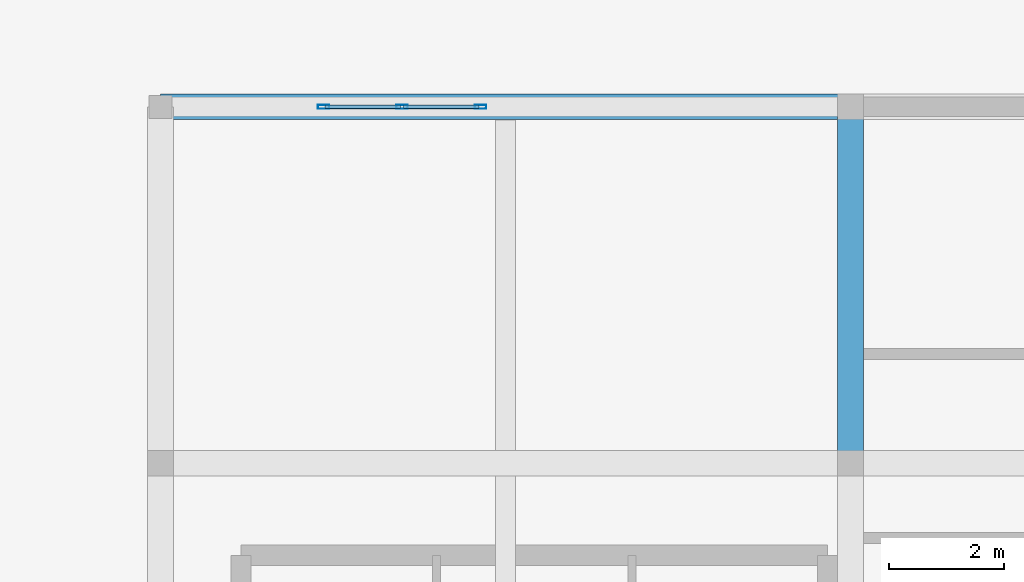
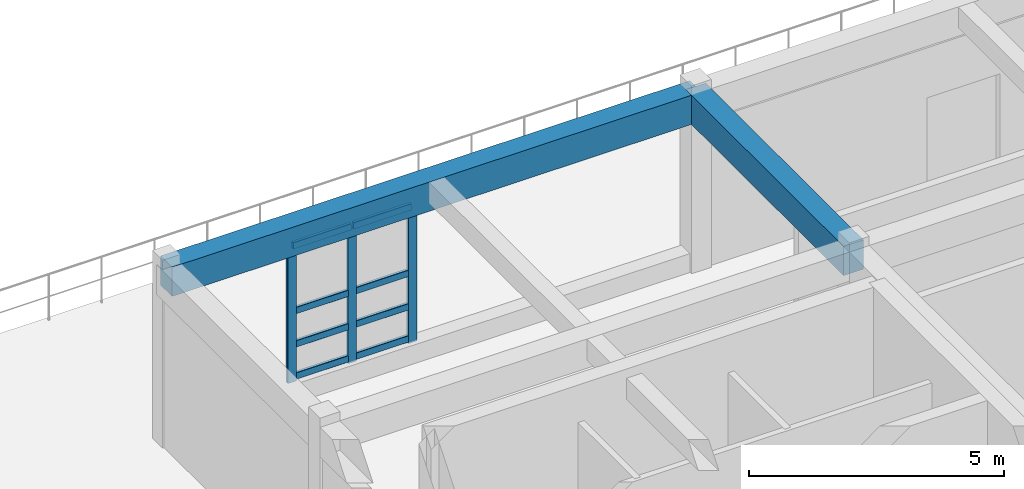
# One storey, part 2 of 15: 11 members, 2 beams, 1 element without a shape of its own.
"""IFC4 building model written with IfcOpenShell, lengths in metres."""

from ifc_helpers import new_model, si_unit, derived_unit, direction, frame, origin, origin_2d, place, context, subcontext, project, spatial, rectangle, hollow_rectangle, extrude, material, layer, layer_set, material_profile, profile_set, type_object, element, aggregate, save


model = new_model("IFC4")

# Units and contexts
model_context = context("Model", 3, precision=1e-05, world=origin(), true_north=direction((0.0, 1.0)))
body_context = subcontext(model_context, "Body", "Model", "MODEL_VIEW")
ifc_project = project(units=[si_unit("LENGTHUNIT", "METRE"), si_unit("AREAUNIT", "SQUARE_METRE"), si_unit("VOLUMEUNIT", "CUBIC_METRE"), si_unit("PLANEANGLEUNIT", "RADIAN"), si_unit("MASSUNIT", "GRAM", prefix="KILO"), derived_unit("THERMALTRANSMITTANCEUNIT", [(si_unit("POWERUNIT", "WATT"), 1), (si_unit("LENGTHUNIT", "METRE"), -2), (si_unit("THERMODYNAMICTEMPERATUREUNIT", "KELVIN"), -1)])], contexts=[model_context])

# Site, building, storey
site_placement = place(None, origin())
site = spatial("IfcSite", under=ifc_project, at=site_placement, CompositionType="ELEMENT")
building_placement = place(site_placement, origin())
building = spatial("IfcBuilding", under=site, at=building_placement, Name="Almenara Railside Exhibition Hall", CompositionType="ELEMENT")
storey_placement = place(building_placement, frame((0.0, 0.0, 16.199951171875)))
storey = spatial("IfcBuildingStorey", under=building, at=storey_placement, Name="L03", CompositionType="ELEMENT", Elevation=16.199951171875)

# Curtain wall, members
ifc_material_1 = material(Name="Bronze-anodised aluminium and low-E double glazing", Category="aluminium")
ifc_layer = layer(ifc_material_1, 0.179931640625, Name="Bronze-anodised aluminium and low-E double glazing")
ifc_layer_set = layer_set([ifc_layer], Name="Bronze-anodised aluminium and low-E double glazing")
curtain_wall_type = type_object("IfcCurtainWallType", Name="Belvedere North Loggia Curtain Wall 2800x3300", PredefinedType="NOTDEFINED", material=ifc_layer_set)
curtain_wall_placement = place(storey_placement, origin())
curtain_wall = element("IfcCurtainWall", 1, at=curtain_wall_placement, inside=storey, type_object=curtain_wall_type, Name="Curtain wall CW-BV1-163", PredefinedType="NOTDEFINED")
ifc_material_2 = material(Name="Bronze-anodised aluminium", Category="aluminium")
ifc_material_profile_1 = material_profile(ifc_material_2, hollow_rectangle(XDim=0.070068359375, YDim=0.199951171875, WallThickness=0.00439453125, InnerFilletRadius=0.00439453125, OuterFilletRadius=0.009033203125, at=origin_2d()), Name="ALU-MUL 70x200x4.5")
ifc_profile_set_1 = profile_set([ifc_material_profile_1], Name="Bronze-anodised aluminium")
member_type_1 = type_object("IfcMemberType", Name="Curtain Wall Mullion 70x200x4.5", PredefinedType="MULLION", material=ifc_profile_set_1)
member_1_placement = place(storey_placement, frame((128.8349609375, 28.0, 0.4150390625), z_axis=(0.0, 0.0, 1.0), x_axis=(0.0, 1.0, 0.0)))
member_1 = element("IfcMember", 2, at=member_1_placement, type_object=member_type_1, Name="CW-BV1-163 mullion 1", PredefinedType="MULLION", context=body_context, shape_type="SweptSolid", body=[
    extrude(hollow_rectangle(XDim=0.070068359375, YDim=0.199951171875, WallThickness=0.00439453125, InnerFilletRadius=0.00439453125, OuterFilletRadius=0.009033203125, at=origin_2d()), origin(), (0.0, 0.0, 1.0), 3.3349609375),
])
member_2_placement = place(storey_placement, frame((130.199951171875, 28.0, 0.4150390625), z_axis=(0.0, 0.0, 1.0), x_axis=(0.0, 1.0, 0.0)))
member_2 = element("IfcMember", 3, at=member_2_placement, type_object=member_type_1, Name="CW-BV1-163 mullion 2", PredefinedType="MULLION", context=body_context, shape_type="SweptSolid", body=[
    extrude(hollow_rectangle(XDim=0.070068359375, YDim=0.199951171875, WallThickness=0.00439453125, InnerFilletRadius=0.00439453125, OuterFilletRadius=0.009033203125, at=origin_2d()), origin(), (0.0, 0.0, 1.0), 3.3349609375),
])
member_3_placement = place(storey_placement, frame((131.56494140625, 28.0, 0.4150390625), z_axis=(0.0, 0.0, 1.0), x_axis=(0.0, 1.0, 0.0)))
member_3 = element("IfcMember", 4, at=member_3_placement, type_object=member_type_1, Name="CW-BV1-163 mullion 3", PredefinedType="MULLION", context=body_context, shape_type="SweptSolid", body=[
    extrude(hollow_rectangle(XDim=0.070068359375, YDim=0.199951171875, WallThickness=0.00439453125, InnerFilletRadius=0.00439453125, OuterFilletRadius=0.009033203125, at=origin_2d()), origin(), (0.0, 0.0, 1.0), 3.3349609375),
])
ifc_material_profile_2 = material_profile(ifc_material_2, hollow_rectangle(XDim=0.070068359375, YDim=0.159912109375, WallThickness=0.00390625, InnerFilletRadius=0.00390625, OuterFilletRadius=0.008056640625, at=origin_2d()), Name="ALU-TRN 70x160x4")
ifc_profile_set_2 = profile_set([ifc_material_profile_2], Name="Bronze-anodised aluminium")
member_type_2 = type_object("IfcMemberType", Name="Curtain Wall Transom 70x160x4", PredefinedType="USERDEFINED", material=ifc_profile_set_2)
member_4_placement = place(storey_placement, frame((128.862060546875, 28.0, 0.530029296875), z_axis=(1.0, 0.0, 0.0), x_axis=(0.0, 1.0, 0.0)))
member_4 = element("IfcMember", 5, at=member_4_placement, type_object=member_type_2, Name="CW-BV1-163 transom 1.1", ObjectType="TRANSOM", PredefinedType="USERDEFINED", context=body_context, shape_type="SweptSolid", body=[
    extrude(hollow_rectangle(XDim=0.070068359375, YDim=0.159912109375, WallThickness=0.00390625, InnerFilletRadius=0.00390625, OuterFilletRadius=0.008056640625, at=origin_2d()), origin(), (0.0, 0.0, 1.0), 1.31103515625),
])
member_5_placement = place(storey_placement, frame((128.862060546875, 28.0, 1.300048828125), z_axis=(1.0, 0.0, 0.0), x_axis=(0.0, 1.0, 0.0)))
member_5 = element("IfcMember", 6, at=member_5_placement, type_object=member_type_2, Name="CW-BV1-163 transom 1.2", ObjectType="TRANSOM", PredefinedType="USERDEFINED", context=body_context, shape_type="SweptSolid", body=[
    extrude(hollow_rectangle(XDim=0.070068359375, YDim=0.159912109375, WallThickness=0.00390625, InnerFilletRadius=0.00390625, OuterFilletRadius=0.008056640625, at=origin_2d()), origin(), (0.0, 0.0, 1.0), 1.31103515625),
])
member_6_placement = place(storey_placement, frame((128.862060546875, 28.0, 2.10009765625), z_axis=(1.0, 0.0, 0.0), x_axis=(0.0, 1.0, 0.0)))
member_6 = element("IfcMember", 7, at=member_6_placement, type_object=member_type_2, Name="CW-BV1-163 transom 1.3", ObjectType="TRANSOM", PredefinedType="USERDEFINED", context=body_context, shape_type="SweptSolid", body=[
    extrude(hollow_rectangle(XDim=0.070068359375, YDim=0.159912109375, WallThickness=0.00390625, InnerFilletRadius=0.00390625, OuterFilletRadius=0.008056640625, at=origin_2d()), origin(), (0.0, 0.0, 1.0), 1.31103515625),
])
member_7_placement = place(storey_placement, frame((128.862060546875, 28.0, 3.670166015625), z_axis=(1.0, 0.0, 0.0), x_axis=(0.0, 1.0, 0.0)))
member_7 = element("IfcMember", 8, at=member_7_placement, type_object=member_type_2, Name="CW-BV1-163 transom 1.4", ObjectType="TRANSOM", PredefinedType="USERDEFINED", context=body_context, shape_type="SweptSolid", body=[
    extrude(hollow_rectangle(XDim=0.070068359375, YDim=0.159912109375, WallThickness=0.00390625, InnerFilletRadius=0.00390625, OuterFilletRadius=0.008056640625, at=origin_2d()), origin(), (0.0, 0.0, 1.0), 1.31103515625),
])
member_8_placement = place(storey_placement, frame((130.22705078125, 28.0, 0.530029296875), z_axis=(1.0, 0.0, 0.0), x_axis=(0.0, 1.0, 0.0)))
member_8 = element("IfcMember", 9, at=member_8_placement, type_object=member_type_2, Name="CW-BV1-163 transom 2.1", ObjectType="TRANSOM", PredefinedType="USERDEFINED", context=body_context, shape_type="SweptSolid", body=[
    extrude(hollow_rectangle(XDim=0.070068359375, YDim=0.159912109375, WallThickness=0.00390625, InnerFilletRadius=0.00390625, OuterFilletRadius=0.008056640625, at=origin_2d()), origin(), (0.0, 0.0, 1.0), 1.31103515625),
])
member_9_placement = place(storey_placement, frame((130.22705078125, 28.0, 1.300048828125), z_axis=(1.0, 0.0, 0.0), x_axis=(0.0, 1.0, 0.0)))
member_9 = element("IfcMember", 10, at=member_9_placement, type_object=member_type_2, Name="CW-BV1-163 transom 2.2", ObjectType="TRANSOM", PredefinedType="USERDEFINED", context=body_context, shape_type="SweptSolid", body=[
    extrude(hollow_rectangle(XDim=0.070068359375, YDim=0.159912109375, WallThickness=0.00390625, InnerFilletRadius=0.00390625, OuterFilletRadius=0.008056640625, at=origin_2d()), origin(), (0.0, 0.0, 1.0), 1.31103515625),
])
member_10_placement = place(storey_placement, frame((130.22705078125, 28.0, 2.10009765625), z_axis=(1.0, 0.0, 0.0), x_axis=(0.0, 1.0, 0.0)))
member_10 = element("IfcMember", 11, at=member_10_placement, type_object=member_type_2, Name="CW-BV1-163 transom 2.3", ObjectType="TRANSOM", PredefinedType="USERDEFINED", context=body_context, shape_type="SweptSolid", body=[
    extrude(hollow_rectangle(XDim=0.070068359375, YDim=0.159912109375, WallThickness=0.00390625, InnerFilletRadius=0.00390625, OuterFilletRadius=0.008056640625, at=origin_2d()), origin(), (0.0, 0.0, 1.0), 1.31103515625),
])
member_11_placement = place(storey_placement, frame((130.22705078125, 28.0, 3.670166015625), z_axis=(1.0, 0.0, 0.0), x_axis=(0.0, 1.0, 0.0)))
member_11 = element("IfcMember", 12, at=member_11_placement, type_object=member_type_2, Name="CW-BV1-163 transom 2.4", ObjectType="TRANSOM", PredefinedType="USERDEFINED", context=body_context, shape_type="SweptSolid", body=[
    extrude(hollow_rectangle(XDim=0.070068359375, YDim=0.159912109375, WallThickness=0.00390625, InnerFilletRadius=0.00390625, OuterFilletRadius=0.008056640625, at=origin_2d()), origin(), (0.0, 0.0, 1.0), 1.31103515625),
])
aggregate(curtain_wall, [member_1, member_2, member_3, member_4, member_5, member_6, member_7, member_8, member_9, member_10, member_11])

# Beams
ifc_material_3 = material(Name="Concrete C35/45", Category="concrete")
ifc_material_profile_3 = material_profile(ifc_material_3, rectangle(XDim=0.449951171875, YDim=0.699951171875, at=origin_2d()), Name="RC 450x700")
ifc_profile_set_3 = profile_set([ifc_material_profile_3], Name="Concrete C35/45")
beam_type = type_object("IfcBeamType", Name="RC Floor Beam 450x700 C35/45", PredefinedType="BEAM", material=ifc_profile_set_3)
beam_1_placement = place(storey_placement, frame((126.0, 28.0, 3.929931640625), z_axis=(1.0, 0.0, 0.0), x_axis=(0.0, 1.0, 0.0)))
element("IfcBeam", 13, at=beam_1_placement, inside=storey, type_object=beam_type, Name="Beam 0361", PredefinedType="BEAM", context=body_context, shape_type="SweptSolid", body=[
    extrude(rectangle(XDim=0.449951171875, YDim=0.699951171875, at=origin_2d()), origin(), (0.0, 0.0, 1.0), 12.0),
])
beam_2_placement = place(storey_placement, frame((138.0, 21.800048828125, 3.929931640625), z_axis=(0.0, 1.0, 0.0), x_axis=(-1.0, 0.0, 0.0)))
element("IfcBeam", 14, at=beam_2_placement, inside=storey, type_object=beam_type, Name="Beam 0373", PredefinedType="BEAM", context=body_context, shape_type="SweptSolid", body=[
    extrude(rectangle(XDim=0.449951171875, YDim=0.699951171875, at=origin_2d()), origin(), (0.0, 0.0, 1.0), 6.199951171875),
])

save(model, "model.ifc")
